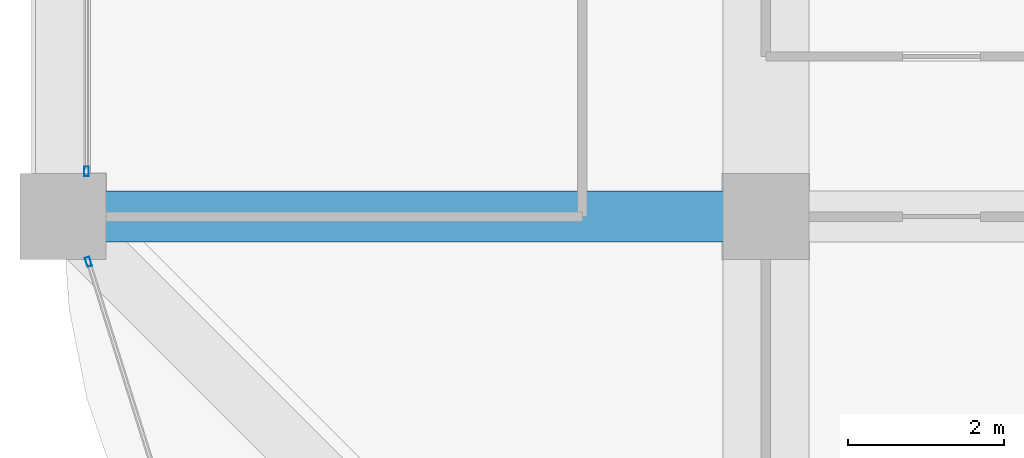
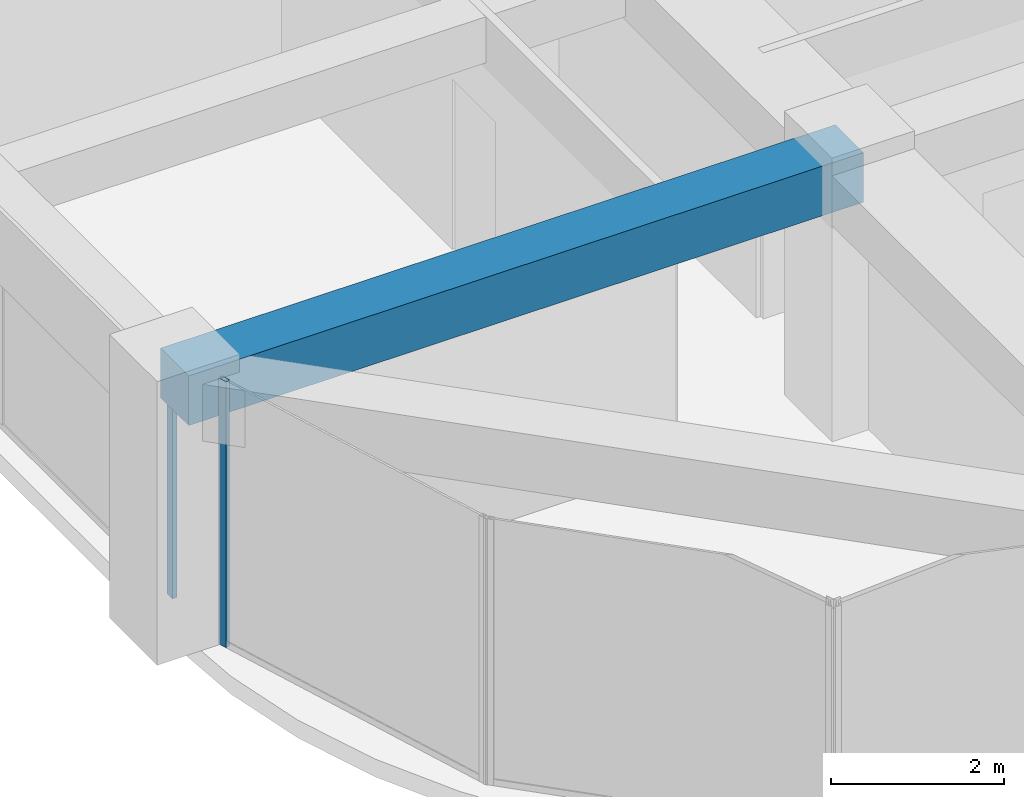
# One storey, part 6 of 45: 2 members, 1 beam, 2 elements without a shape of their own.
"""IFC4 building model written with IfcOpenShell, lengths in metres."""

from ifc_helpers import new_model, si_unit, direction, frame, origin, origin_2d, place, context, subcontext, project, spatial, rectangle, hollow_rectangle, extrude, material, material_profile, profile_set, type_object, element, aggregate, save


model = new_model("IFC4")

# Units and contexts
model_context = context("Model", 3, precision=1e-05, world=origin(), true_north=direction((0.0, 1.0)))
body_context = subcontext(model_context, "Body", "Model", "MODEL_VIEW")
ifc_project = project(units=[si_unit("LENGTHUNIT", "METRE"), si_unit("AREAUNIT", "SQUARE_METRE"), si_unit("VOLUMEUNIT", "CUBIC_METRE"), si_unit("PLANEANGLEUNIT", "RADIAN"), si_unit("MASSUNIT", "GRAM", prefix="KILO")], contexts=[model_context])

# Site, building, storey
site_placement = place(None, origin())
site = spatial("IfcSite", under=ifc_project, at=site_placement, CompositionType="ELEMENT")
building_placement = place(site_placement, origin())
building = spatial("IfcBuilding", under=site, at=building_placement, Name="Zorevar Civic Tower", CompositionType="ELEMENT")
storey_placement = place(building_placement, frame((0.0, 0.0, 303.39990234375)))
storey = spatial("IfcBuildingStorey", under=building, at=storey_placement, Name="L74", CompositionType="ELEMENT", Elevation=303.39990234375)

# Beam
ifc_material_1 = material(Name="Concrete C50/60", Category="concrete")
ifc_material_profile_1 = material_profile(ifc_material_1, rectangle(XDim=0.64990234375, YDim=0.699951171875, at=origin_2d()), Name="RC 650x700")
ifc_profile_set_1 = profile_set([ifc_material_profile_1], Name="Concrete C50/60")
beam_type = type_object("IfcBeamType", Name="Beam RC 650x700", PredefinedType="BEAM", material=ifc_profile_set_1)
beam_placement = place(storey_placement, frame((9.0, 9.0, 3.400146484375), z_axis=(1.0, 0.0, 0.0), x_axis=(0.0, 1.0, 0.0)))
element("IfcBeam", 1, at=beam_placement, inside=storey, type_object=beam_type, Name="Girder L75", PredefinedType="BEAM", context=body_context, shape_type="SweptSolid", body=[
    extrude(rectangle(XDim=0.64990234375, YDim=0.699951171875, at=origin_2d()), origin(), (0.0, 0.0, 1.0), 9.0),
])

# Curtain wall, member
ifc_material_2 = material(Name="Dark grey solar-control glass in black aluminium frame", Category="aluminium")
curtain_wall_type = type_object("IfcCurtainWallType", Name="Curtain wall CW5 top zone", PredefinedType="NOTDEFINED", material=ifc_material_2)
curtain_wall_1_placement = place(storey_placement, origin())
curtain_wall_1 = element("IfcCurtainWall", 2, at=curtain_wall_1_placement, inside=storey, type_object=curtain_wall_type, Name="CW5 L74", PredefinedType="NOTDEFINED")
ifc_material_3 = material(Name="Aluminium, black anodised", Category="aluminium")
ifc_material_profile_2 = material_profile(ifc_material_3, hollow_rectangle(XDim=0.06005859375, YDim=0.1201171875, WallThickness=0.0029296875, at=origin_2d()), Name="AL 120x60x3")
ifc_profile_set_2 = profile_set([ifc_material_profile_2], Name="Aluminium, black anodised")
member_type = type_object("IfcMemberType", Name="CW5 mullion AL 120x60x3", PredefinedType="MULLION", material=ifc_profile_set_2)
member_1_placement = place(storey_placement, frame((9.300048828125, 9.580078125, 0.0), z_axis=(0.0, 0.0, 1.0), x_axis=(-1.0, 0.0, 0.0)))
member_1 = element("IfcMember", 3, at=member_1_placement, type_object=member_type, Name="CW5 mullion 1", PredefinedType="MULLION", context=body_context, shape_type="SweptSolid", body=[
    extrude(hollow_rectangle(XDim=0.06005859375, YDim=0.1201171875, WallThickness=0.0029296875, at=origin_2d()), origin(), (0.0, 0.0, 1.0), 2.9501953125),
])
aggregate(curtain_wall_1, [member_1])

curtain_wall_2_placement = place(storey_placement, origin())
curtain_wall_2 = element("IfcCurtainWall", 4, at=curtain_wall_2_placement, inside=storey, type_object=curtain_wall_type, Name="CW5 L74", PredefinedType="NOTDEFINED")
member_2_placement = place(storey_placement, frame((9.326416015625, 8.42138671875, 0.0), z_axis=(0.0, 0.0, 1.0), x_axis=(0.954153437674, 0.299317920238, 0.0)))
member_2 = element("IfcMember", 5, at=member_2_placement, type_object=member_type, Name="CW5 mullion 1", PredefinedType="MULLION", context=body_context, shape_type="SweptSolid", body=[
    extrude(hollow_rectangle(XDim=0.06005859375, YDim=0.1201171875, WallThickness=0.0029296875, at=origin_2d()), origin(), (0.0, 0.0, 1.0), 3.75),
])
aggregate(curtain_wall_2, [member_2])

save(model, "model.ifc")
